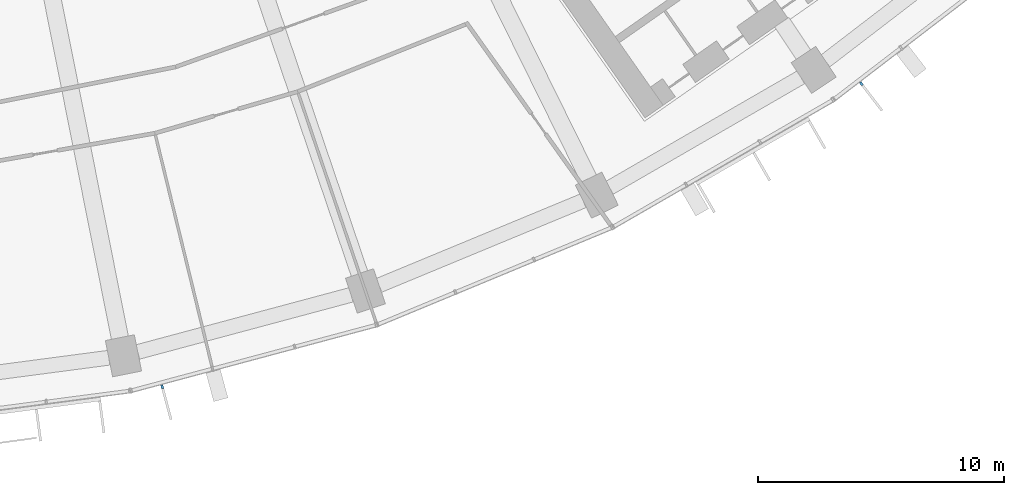
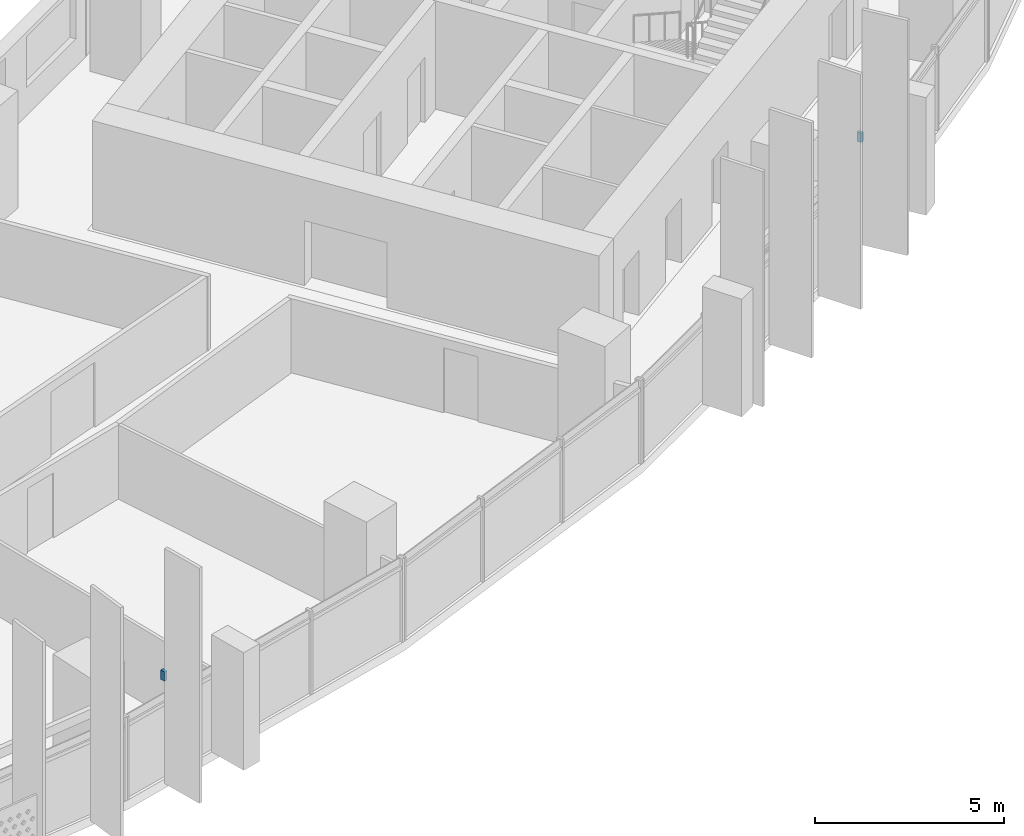
# One storey, part 10 of 30: 2 discrete accessories.
"""IFC4 building model written with IfcOpenShell, lengths in metres."""

from ifc_helpers import new_model, si_unit, direction, frame, origin, origin_2d, place, context, subcontext, project, spatial, rectangle, extrude, material, type_object, element, save


model = new_model("IFC4")

# Units and contexts
model_context = context("Model", 3, precision=1e-05, world=origin(), true_north=direction((0.0, 1.0)))
body_context = subcontext(model_context, "Body", "Model", "MODEL_VIEW")
ifc_project = project(units=[si_unit("LENGTHUNIT", "METRE"), si_unit("AREAUNIT", "SQUARE_METRE"), si_unit("VOLUMEUNIT", "CUBIC_METRE"), si_unit("PLANEANGLEUNIT", "RADIAN"), si_unit("MASSUNIT", "GRAM", prefix="KILO")], contexts=[model_context])

# Site, building, storey
site_placement = place(None, origin())
site = spatial("IfcSite", under=ifc_project, at=site_placement, CompositionType="ELEMENT")
building_placement = place(site_placement, origin())
building = spatial("IfcBuilding", under=site, at=building_placement, Name="Qamariyya Broadcast Tower", CompositionType="ELEMENT")
storey_placement = place(building_placement, frame((0.0, 0.0, 125.300048828125)))
storey = spatial("IfcBuildingStorey", under=building, at=storey_placement, Name="L28", CompositionType="ELEMENT", Elevation=125.300048828125)

# Discrete accessories
ifc_material = material(Name="Stainless steel 316", Category="steel")
discrete_accessory_type = type_object("IfcDiscreteAccessoryType", Name="Slab edge fixing angle, stainless steel", PredefinedType="BRACKET", material=ifc_material)
for number, where, z_axis, x_axis, name in (
    (1, (16.742431640625, -77.51318359375, 3.2998046875), (0.0, 0.0, 1.0), (0.965925826289, 0.258819045103, 0.0), "e-br-L28-11-0"),
    (2, (45.131103515625, -65.205810546875, 3.2998046875), (0.0, 0.0, 1.0), (0.793353340291, 0.608761429009, 0.0), "e-br-L28-14-0"),
):
    element("IfcDiscreteAccessory", number, at=place(storey_placement, frame(where, z_axis=z_axis, x_axis=x_axis)), inside=storey, type_object=discrete_accessory_type, Name=name, PredefinedType="BRACKET", context=body_context, shape_type="SweptSolid", body=[
        extrude(rectangle(XDim=0.10009765625, YDim=0.14990234375, at=origin_2d()), origin(), (0.0, 0.0, 1.0), 0.300048828125),
    ])

save(model, "model.ifc")
